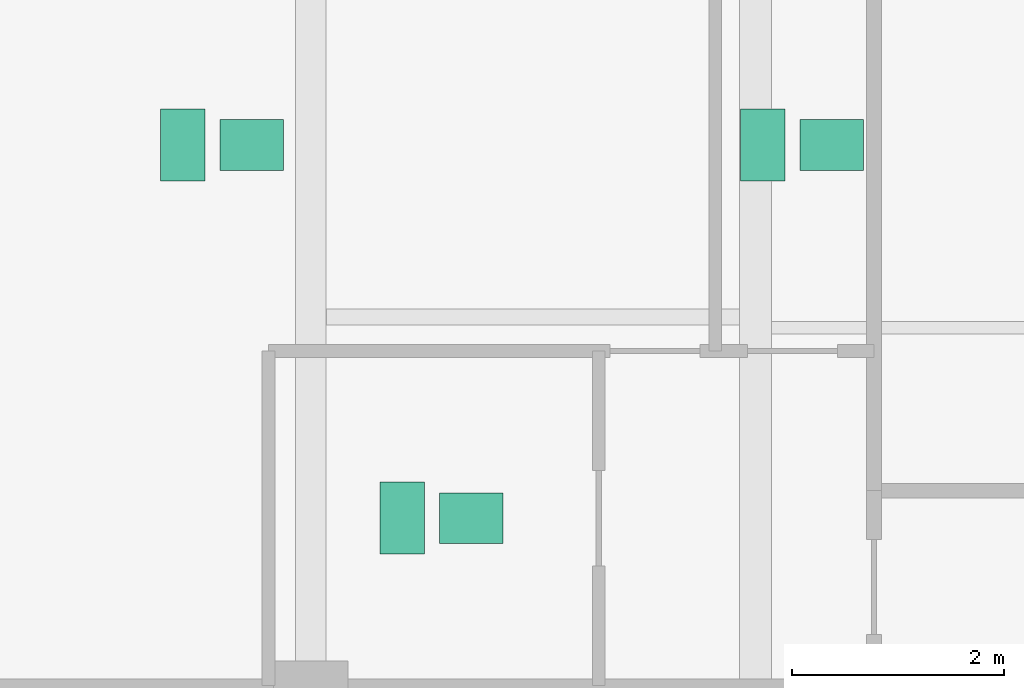
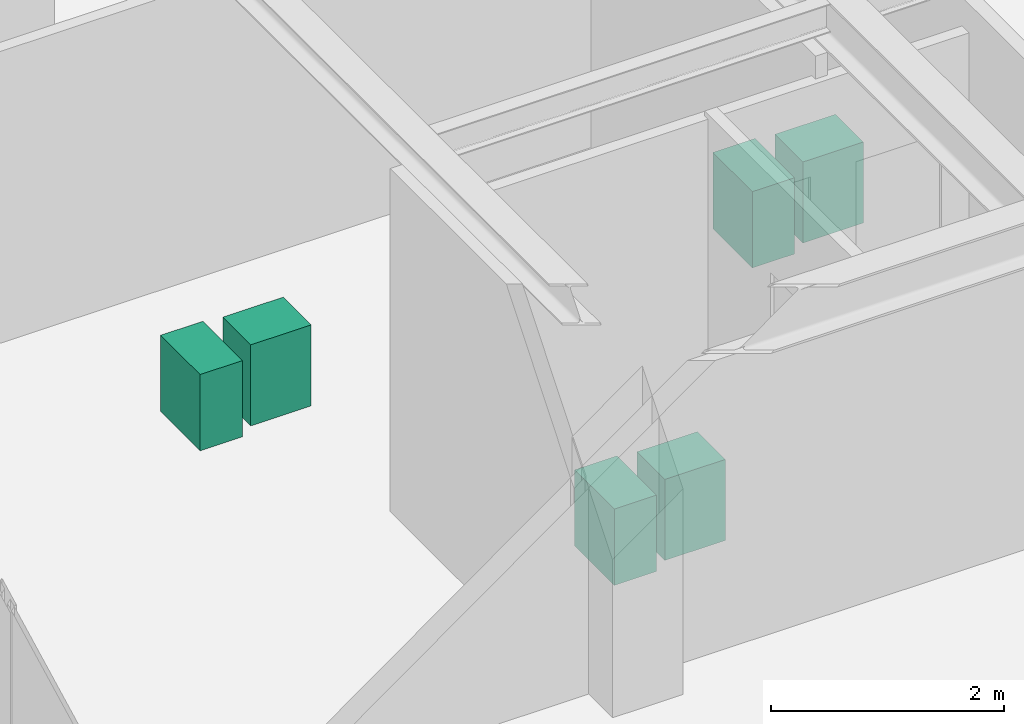
# One storey, part 22 of 22: 6 sanitary terminals.
"""IFC4 building model written with IfcOpenShell, lengths in metres."""

from ifc_helpers import new_model, si_unit, direction, frame, origin, origin_2d, place, context, subcontext, project, spatial, rectangle, extrude, source, transform, mapped, material, type_object, type_shapes, element, save


model = new_model("IFC4")

# Units and contexts
model_context = context("Model", 3, precision=1e-05, world=origin(), true_north=direction((0.0, 1.0)))
body_context = subcontext(model_context, "Body", "Model", "MODEL_VIEW")
ifc_project = project(units=[si_unit("LENGTHUNIT", "METRE"), si_unit("AREAUNIT", "SQUARE_METRE"), si_unit("VOLUMEUNIT", "CUBIC_METRE"), si_unit("PLANEANGLEUNIT", "RADIAN"), si_unit("MASSUNIT", "GRAM", prefix="KILO")], contexts=[model_context])

# Site, building, storey
site_placement = place(None, origin())
site = spatial("IfcSite", under=ifc_project, at=site_placement, CompositionType="ELEMENT")
building_placement = place(site_placement, origin())
building = spatial("IfcBuilding", under=site, at=building_placement, Name="Krantzveldt Concourse Tower", CompositionType="ELEMENT")
storey_placement = place(building_placement, frame((0.0, 0.0, 359.300048828125)))
storey = spatial("IfcBuildingStorey", under=building, at=storey_placement, Name="L88", CompositionType="ELEMENT", Elevation=359.300048828125)

# Sanitary terminals
ifc_material = material(Name="Vitreous china", Category="ceramic")
sanitary_terminal_type_1 = type_object("IfcSanitaryTerminalType", Name="SAN-WC-SUITE", PredefinedType="TOILETPAN", material=ifc_material)
shared_shape_1 = source(origin(), body_context, "Body", "SweptSolid", [
    extrude(rectangle(XDim=0.419921875, YDim=0.679931640625, at=origin_2d()), origin(), (0.0, 0.0, 1.0), 0.800048828125),
])
type_shapes(sanitary_terminal_type_1, [shared_shape_1])
for number, where, z_axis, x_axis, name in (
    (1, (19.791015625, 31.925048828125, 0.0), (0.0, 0.0, 1.0), (1.0, 0.0, 0.0), "WC-SP-L88-WCM"),
    (2, (25.27001953125, 31.925048828125, 0.0), (0.0, 0.0, 1.0), (1.0, 0.0, 0.0), "WC-SP-L88-WCF"),
    (3, (21.864990234375, 28.39990234375, 0.0), (0.0, 0.0, 1.0), (1.0, 0.0, 0.0), "WC-SP-L88-WCA"),
):
    element("IfcSanitaryTerminal", number, at=place(storey_placement, frame(where, z_axis=z_axis, x_axis=x_axis)), inside=storey, type_object=sanitary_terminal_type_1, Name=name, PredefinedType="TOILETPAN", context=body_context, shape_type="MappedRepresentation", body=[
        mapped(shared_shape_1, transform((0.0, 0.0, 0.0), x_axis=(1.0, 0.0, 0.0), y_axis=(0.0, 1.0, 0.0), z_axis=(0.0, 0.0, 1.0), scale=1.0)),
    ])
sanitary_terminal_type_2 = type_object("IfcSanitaryTerminalType", Name="SAN-BASIN-600", PredefinedType="WASHHANDBASIN", material=ifc_material)
shared_shape_2 = source(origin(), body_context, "Body", "SweptSolid", [
    extrude(rectangle(XDim=0.60009765625, YDim=0.47998046875, at=origin_2d()), origin(), (0.0, 0.0, 1.0), 0.85009765625),
])
type_shapes(sanitary_terminal_type_2, [shared_shape_2])
for number, where, z_axis, x_axis, name in (
    (4, (20.44091796875, 31.925048828125, 0.0048828125), (0.0, 0.0, 1.0), (1.0, 0.0, 0.0), "BSN-SP-L88-WCM"),
    (5, (25.919921875, 31.925048828125, 0.0048828125), (0.0, 0.0, 1.0), (1.0, 0.0, 0.0), "BSN-SP-L88-WCF"),
    (6, (22.514892578125, 28.39990234375, 0.0048828125), (0.0, 0.0, 1.0), (1.0, 0.0, 0.0), "BSN-SP-L88-WCA"),
):
    element("IfcSanitaryTerminal", number, at=place(storey_placement, frame(where, z_axis=z_axis, x_axis=x_axis)), inside=storey, type_object=sanitary_terminal_type_2, Name=name, PredefinedType="WASHHANDBASIN", context=body_context, shape_type="MappedRepresentation", body=[
        mapped(shared_shape_2, transform((0.0, 0.0, 0.0), x_axis=(1.0, 0.0, 0.0), y_axis=(0.0, 1.0, 0.0), z_axis=(0.0, 0.0, 1.0), scale=1.0)),
    ])

save(model, "model.ifc")
